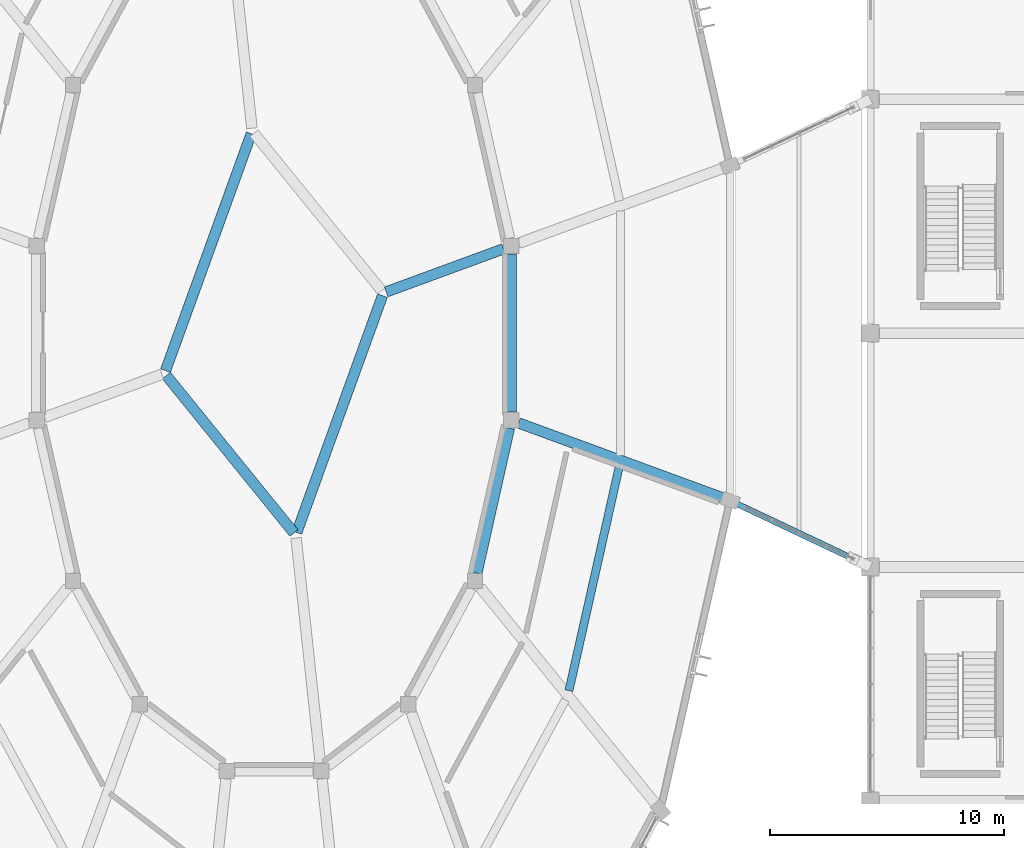
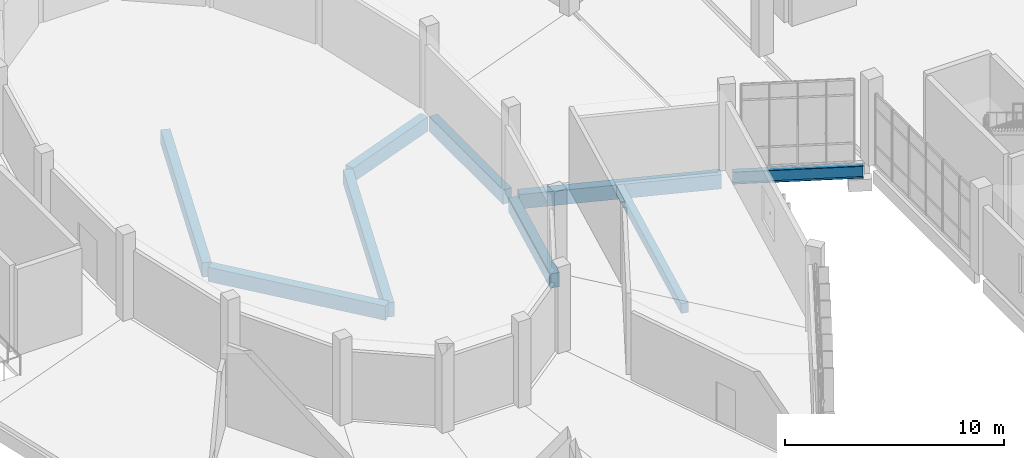
# One storey, part 55 of 179: 9 beams.
"""IFC4 building model written with IfcOpenShell, lengths in metres."""

from ifc_helpers import new_model, si_unit, direction, frame, origin, origin_2d, place, context, subcontext, project, spatial, rectangle, i_section, extrude, material, material_profile, profile_set, type_object, element, save


model = new_model("IFC4")

# Units and contexts
model_context = context("Model", 3, precision=1e-05, world=origin(), true_north=direction((0.0, 1.0)))
body_context = subcontext(model_context, "Body", "Model", "MODEL_VIEW")
ifc_project = project(units=[si_unit("LENGTHUNIT", "METRE"), si_unit("AREAUNIT", "SQUARE_METRE"), si_unit("VOLUMEUNIT", "CUBIC_METRE"), si_unit("PLANEANGLEUNIT", "RADIAN"), si_unit("MASSUNIT", "GRAM", prefix="KILO")], contexts=[model_context])

# Site, building, storey
site_placement = place(None, origin())
site = spatial("IfcSite", under=ifc_project, at=site_placement, CompositionType="ELEMENT")
building_placement = place(site_placement, origin())
building = spatial("IfcBuilding", under=site, at=building_placement, Name="Corvandel Quay Wholesale Market", CompositionType="ELEMENT")
storey_placement = place(building_placement, frame((0.0, 0.0, 6.0)))
storey = spatial("IfcBuildingStorey", under=building, at=storey_placement, Name="L01", CompositionType="ELEMENT", Elevation=6.0)

# Beams
ifc_material_1 = material(Name="Precast concrete C45/55", Category="concrete")
ifc_material_profile_1 = material_profile(ifc_material_1, rectangle(XDim=0.449951171875, YDim=0.800048828125, at=origin_2d()), Name="PC-GIR-450x800")
ifc_profile_set_1 = profile_set([ifc_material_profile_1], Name="Precast concrete C45/55")
beam_type_1 = type_object("IfcBeamType", Name="Auction Pavilion Girder G05 450x800", PredefinedType="USERDEFINED", material=ifc_profile_set_1)
beam_1_placement = place(storey_placement, frame((204.316162109375, 63.60498046875, -0.639892578125), z_axis=(-0.938713463289, -0.344698467997, 0.0), x_axis=(0.344698467997, -0.938713463289, 0.0)))
element("IfcBeam", 1, at=beam_1_placement, inside=storey, type_object=beam_type_1, Name="Beam BM-0762", ObjectType="GIRDER", PredefinedType="USERDEFINED", context=body_context, shape_type="SweptSolid", body=[
    extrude(rectangle(XDim=0.449951171875, YDim=0.800048828125, at=origin_2d()), origin(), (0.0, 0.0, 1.0), 5.349609375),
])
beam_2_placement = place(storey_placement, frame((193.527587890625, 68.525390625, -0.639892578125), z_axis=(-0.340308770746, -0.940313745807, 0.0), x_axis=(0.940313745807, -0.340308770746, 0.0)))
element("IfcBeam", 2, at=beam_2_placement, inside=storey, type_object=beam_type_1, Name="Beam BM-0763", ObjectType="GIRDER", PredefinedType="USERDEFINED", context=body_context, shape_type="SweptSolid", body=[
    extrude(rectangle(XDim=0.449951171875, YDim=0.800048828125, at=origin_2d()), origin(), (0.0, 0.0, 1.0), 10.772705078125),
])
beam_3_placement = place(storey_placement, frame((189.896728515625, 58.186279296875, -0.639892578125), z_axis=(0.629773474847, -0.776778842644, 0.0), x_axis=(0.776778842644, 0.629773474847, 0.0)))
element("IfcBeam", 3, at=beam_3_placement, inside=storey, type_object=beam_type_1, Name="Beam BM-0765", ObjectType="GIRDER", PredefinedType="USERDEFINED", context=body_context, shape_type="SweptSolid", body=[
    extrude(rectangle(XDim=0.449951171875, YDim=0.800048828125, at=origin_2d()), origin(), (0.0, 0.0, 1.0), 8.665771484375),
])
beam_4_placement = place(storey_placement, frame((195.472412109375, 51.474609375, -0.639892578125), z_axis=(0.340308770746, 0.940313745807, 0.0), x_axis=(-0.940313745807, 0.340308770746, 0.0)))
element("IfcBeam", 4, at=beam_4_placement, inside=storey, type_object=beam_type_1, Name="Beam BM-0767", ObjectType="GIRDER", PredefinedType="USERDEFINED", context=body_context, shape_type="SweptSolid", body=[
    extrude(rectangle(XDim=0.449951171875, YDim=0.800048828125, at=origin_2d()), origin(), (0.0, 0.0, 1.0), 10.772705078125),
])
beam_5_placement = place(storey_placement, frame((203.17138671875, 49.732666015625, -0.639892578125), z_axis=(0.218994347001, 0.975726127549, 0.0), x_axis=(-0.975726127549, 0.218994347001, 0.0)))
element("IfcBeam", 5, at=beam_5_placement, inside=storey, type_object=beam_type_1, Name="Beam BM-0916", ObjectType="GIRDER", PredefinedType="USERDEFINED", context=body_context, shape_type="SweptSolid", body=[
    extrude(rectangle(XDim=0.449951171875, YDim=0.800048828125, at=origin_2d()), origin(), (0.0, 0.0, 1.0), 6.361083984375),
])
beam_6_placement = place(storey_placement, frame((204.639892578125, 56.62109375, -0.639892578125), z_axis=(0.0, 1.0, 0.0), x_axis=(-1.0, 0.0, 0.0)))
element("IfcBeam", 6, at=beam_6_placement, inside=storey, type_object=beam_type_1, Name="Beam BM-0927", ObjectType="GIRDER", PredefinedType="USERDEFINED", context=body_context, shape_type="SweptSolid", body=[
    extrude(rectangle(XDim=0.449951171875, YDim=0.800048828125, at=origin_2d()), origin(), (0.0, 0.0, 1.0), 6.7578125),
])
beam_7_placement = place(storey_placement, frame((213.74658203125, 52.93212890625, -0.639892578125), z_axis=(-0.938719908287, 0.344680915899, 0.0), x_axis=(-0.344680915899, -0.938719908287, 0.0)))
element("IfcBeam", 7, at=beam_7_placement, inside=storey, type_object=beam_type_1, Name="Beam BM-0928", ObjectType="GIRDER", PredefinedType="USERDEFINED", context=body_context, shape_type="SweptSolid", body=[
    extrude(rectangle(XDim=0.449951171875, YDim=0.800048828125, at=origin_2d()), origin(), (0.0, 0.0, 1.0), 9.35595703125),
])
ifc_material_2 = material(Name="Steel A992 Grade 50", Category="steel")
ifc_material_profile_2 = material_profile(ifc_material_2, i_section(OverallWidth=0.25390625, OverallDepth=0.68310546875, WebThickness=0.012451171875, FlangeThickness=0.018798828125, at=origin_2d()), Name="W27X94")
ifc_profile_set_2 = profile_set([ifc_material_profile_2], Name="Steel A992 Grade 50")
beam_type_2 = type_object("IfcBeamType", Name="Bridge Link Steel Girder SG01 W27X94", PredefinedType="USERDEFINED", material=ifc_profile_set_2)
beam_8_placement = place(storey_placement, frame((214.239501953125, 52.7255859375, -0.5615234375), z_axis=(0.903920558036, -0.427700391349, 0.0), x_axis=(0.427700391349, 0.903920558036, 0.0)))
element("IfcBeam", 8, at=beam_8_placement, inside=storey, type_object=beam_type_2, Name="Beam BM-1807", ObjectType="GIRDER", PredefinedType="USERDEFINED", context=body_context, shape_type="SweptSolid", body=[
    extrude(i_section(OverallWidth=0.25390625, OverallDepth=0.68310546875, WebThickness=0.012451171875, FlangeThickness=0.018798828125, at=origin_2d()), origin(), (0.0, 0.0, 1.0), 5.982666015625),
])
ifc_material_profile_3 = material_profile(ifc_material_1, rectangle(XDim=0.35009765625, YDim=0.550048828125, at=origin_2d()), Name="PC-BM-350x550")
ifc_profile_set_3 = profile_set([ifc_material_profile_3], Name="Precast concrete C45/55")
beam_type_3 = type_object("IfcBeamType", Name="Standard Floor Secondary Beam B03 350x550", PredefinedType="BEAM", material=ifc_profile_set_3)
beam_9_placement = place(storey_placement, frame((207.110595703125, 44.7119140625, -0.514892578125), z_axis=(0.218963891009, 0.975732962667, 0.0), x_axis=(-0.975732962667, 0.218963891009, 0.0)))
element("IfcBeam", 9, at=beam_9_placement, inside=storey, type_object=beam_type_3, Name="Beam BM-0918", PredefinedType="BEAM", context=body_context, shape_type="SweptSolid", body=[
    extrude(rectangle(XDim=0.35009765625, YDim=0.550048828125, at=origin_2d()), origin(), (0.0, 0.0, 1.0), 9.87548828125),
])

save(model, "model.ifc")
